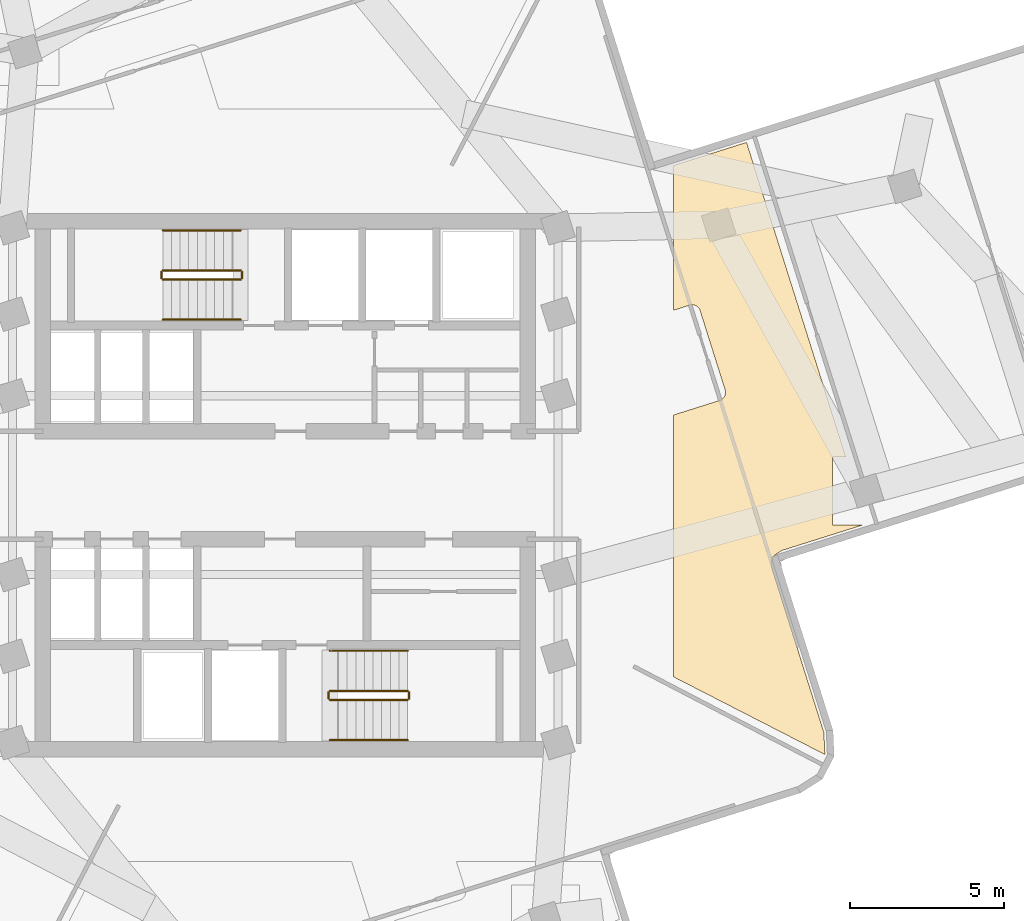
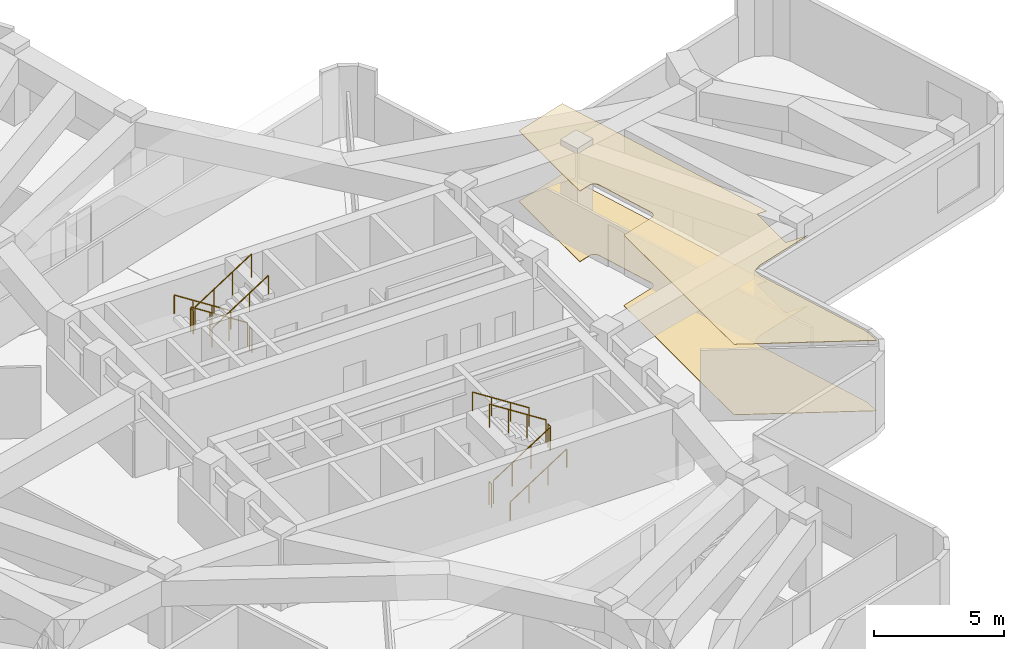
# One storey, part 7 of 8: 12 railings, 2 coverings.
"""IFC4 building model written with IfcOpenShell, lengths in metres."""

from ifc_helpers import new_model, si_unit, direction, frame, origin, origin_2d, place, context, subcontext, project, spatial, polyline, circle, outline, extrude, material, layer, layer_set, type_object, element, save


model = new_model("IFC4")

# Units and contexts
model_context = context("Model", 3, precision=1e-05, world=origin(), true_north=direction((0.0, 1.0)))
body_context = subcontext(model_context, "Body", "Model", "MODEL_VIEW")
ifc_project = project(units=[si_unit("LENGTHUNIT", "METRE"), si_unit("AREAUNIT", "SQUARE_METRE"), si_unit("VOLUMEUNIT", "CUBIC_METRE"), si_unit("PLANEANGLEUNIT", "RADIAN"), si_unit("MASSUNIT", "GRAM", prefix="KILO")], contexts=[model_context])

# Site, building, storey
site_placement = place(None, origin())
site = spatial("IfcSite", under=ifc_project, at=site_placement, CompositionType="ELEMENT")
building_placement = place(site_placement, origin())
building = spatial("IfcBuilding", under=site, at=building_placement, Name="Solmarez Civic Tower", CompositionType="ELEMENT")
storey_placement = place(building_placement, frame((0.0, 0.0, 152.280029296875)))
storey = spatial("IfcBuildingStorey", under=building, at=storey_placement, Name="L40", CompositionType="ELEMENT", Elevation=152.280029296875)

# Coverings
ifc_material_1 = material(Name="Perforated Mineral-Fibre Acoustic Ceiling")
ifc_layer_1 = layer(ifc_material_1, 0.02490234375)
ifc_layer_set_1 = layer_set([ifc_layer_1], Name="Perforated Mineral-Fibre Acoustic Ceiling")
covering_type_1 = type_object("IfcCoveringType", Name="COV-CEIL-ACOUSTIC", PredefinedType="CEILING", material=ifc_layer_set_1)
covering_1_placement = place(storey_placement, frame((0.0, 0.0, 3.31494140625)))
element("IfcCovering", 1, at=covering_1_placement, inside=storey, type_object=covering_type_1, Name="L40 Suspended Acoustic Ceiling 1", PredefinedType="CEILING", context=body_context, shape_type="SweptSolid", body=[
    extrude(outline(polyline([(12.60009765625, 10.3740234375), (12.60009765625, 5.676025390625), (13.12109375, 5.841064453125), (13.14404296875, 5.846923828125), (13.14892578125, 5.847900390625), (13.154052734375, 5.84912109375), (13.175048828125, 5.85205078125), (13.197021484375, 5.85302734375), (13.2060546875, 5.85302734375), (13.22802734375, 5.85205078125), (13.2490234375, 5.84912109375), (13.25390625, 5.847900390625), (13.259033203125, 5.846923828125), (13.279052734375, 5.842041015625), (13.298095703125, 5.8349609375), (13.302978515625, 5.8330078125), (13.319091796875, 5.825927734375), (13.326904296875, 5.822021484375), (13.344970703125, 5.81201171875), (13.364990234375, 5.798095703125), (13.388916015625, 5.778076171875), (13.39599609375, 5.77099609375), (13.4189453125, 5.742919921875), (13.429931640625, 5.72802734375), (13.43505859375, 5.719970703125), (13.444091796875, 5.702880859375), (13.451904296875, 5.68505859375), (13.4541015625, 5.679931640625), (13.4599609375, 5.6640625), (14.27197265625, 3.089111328125), (14.278076171875, 3.06591796875), (14.279052734375, 3.06103515625), (14.280029296875, 3.055908203125), (14.282958984375, 3.034912109375), (14.283935546875, 3.012939453125), (14.283935546875, 3.00390625), (14.282958984375, 2.98193359375), (14.280029296875, 2.9609375), (14.279052734375, 2.9560546875), (14.278076171875, 2.950927734375), (14.27197265625, 2.927001953125), (14.262939453125, 2.905029296875), (14.259033203125, 2.89599609375), (14.2451171875, 2.867919921875), (14.239990234375, 2.860107421875), (14.22607421875, 2.841064453125), (14.212890625, 2.824951171875), (14.197998046875, 2.81005859375), (14.181884765625, 2.797119140625), (14.174072265625, 2.791015625), (14.158935546875, 2.780029296875), (14.15087890625, 2.77490234375), (14.134033203125, 2.76611328125), (14.115966796875, 2.758056640625), (14.111083984375, 2.756103515625), (14.094970703125, 2.75), (12.60009765625, 2.278076171875), (12.60009765625, -6.218994140625), (17.50390625, -8.735107421875), (17.507080078125, -8.72998046875), (17.47509765625, -8.02197265625), (15.81103515625, -2.748046875), (15.80908203125, -2.741943359375), (15.806884765625, -2.735107421875), (15.802001953125, -2.7109375), (15.801025390625, -2.705078125), (15.800048828125, -2.699951171875), (15.799072265625, -2.693115234375), (15.797119140625, -2.672119140625), (15.7890625, -2.5), (15.7890625, -2.489990234375), (15.7890625, -2.48193359375), (15.791015625, -2.450927734375), (15.7919921875, -2.444091796875), (15.797119140625, -2.422119140625), (15.799072265625, -2.4140625), (15.800048828125, -2.406982421875), (15.802001953125, -2.39990234375), (15.81201171875, -2.373046875), (15.81494140625, -2.365966796875), (15.818115234375, -2.35888671875), (15.826904296875, -2.341064453125), (15.8369140625, -2.323974609375), (15.841064453125, -2.318115234375), (15.85498046875, -2.299072265625), (15.860107421875, -2.29296875), (15.864990234375, -2.287109375), (15.8779296875, -2.27197265625), (15.89306640625, -2.259033203125), (15.89892578125, -2.25390625), (15.91796875, -2.239990234375), (15.927001953125, -2.23388671875), (16.072021484375, -2.14111328125), (16.093017578125, -2.12890625), (16.09912109375, -2.1259765625), (16.110107421875, -2.12109375), (16.116943359375, -2.117919921875), (16.134033203125, -2.111083984375), (16.14404296875, -2.10791015625), (18.758056640625, -1.282958984375), (17.760009765625, -1.282958984375), (17.760009765625, 0.9169921875), (18.18798828125, 0.9169921875), (14.966064453125, 11.12109375), (12.60009765625, 10.3740234375)])), origin(), (0.0, 0.0, 1.0), 0.025146484375),
])
ifc_material_2 = material(Name="Polished Tropical Stone Terrazzo Flooring", Category="masonry")
ifc_layer_2 = layer(ifc_material_2, 0.02001953125)
ifc_layer_set_2 = layer_set([ifc_layer_2], Name="Polished Tropical Stone Terrazzo Flooring")
covering_type_2 = type_object("IfcCoveringType", Name="COV-FLOOR-TERRAZZO", PredefinedType="FLOORING", material=ifc_layer_set_2)
covering_2_placement = place(storey_placement, origin())
element("IfcCovering", 2, at=covering_2_placement, inside=storey, type_object=covering_type_2, Name="L40 Terrazzo Floor Finish 1", PredefinedType="FLOORING", context=body_context, shape_type="SweptSolid", body=[
    extrude(outline(polyline([(12.60009765625, 10.3740234375), (12.60009765625, 5.676025390625), (13.12109375, 5.841064453125), (13.14404296875, 5.846923828125), (13.14892578125, 5.847900390625), (13.154052734375, 5.84912109375), (13.175048828125, 5.85205078125), (13.197021484375, 5.85302734375), (13.2060546875, 5.85302734375), (13.22802734375, 5.85205078125), (13.2490234375, 5.84912109375), (13.25390625, 5.847900390625), (13.259033203125, 5.846923828125), (13.279052734375, 5.842041015625), (13.298095703125, 5.8349609375), (13.302978515625, 5.8330078125), (13.319091796875, 5.825927734375), (13.326904296875, 5.822021484375), (13.344970703125, 5.81201171875), (13.364990234375, 5.798095703125), (13.388916015625, 5.778076171875), (13.39599609375, 5.77099609375), (13.4189453125, 5.742919921875), (13.429931640625, 5.72802734375), (13.43505859375, 5.719970703125), (13.444091796875, 5.702880859375), (13.451904296875, 5.68505859375), (13.4541015625, 5.679931640625), (13.4599609375, 5.6640625), (14.27197265625, 3.089111328125), (14.278076171875, 3.06591796875), (14.279052734375, 3.06103515625), (14.280029296875, 3.055908203125), (14.282958984375, 3.034912109375), (14.283935546875, 3.012939453125), (14.283935546875, 3.00390625), (14.282958984375, 2.98193359375), (14.280029296875, 2.9609375), (14.279052734375, 2.9560546875), (14.278076171875, 2.950927734375), (14.27197265625, 2.927001953125), (14.262939453125, 2.905029296875), (14.259033203125, 2.89599609375), (14.2451171875, 2.867919921875), (14.239990234375, 2.860107421875), (14.22607421875, 2.841064453125), (14.212890625, 2.824951171875), (14.197998046875, 2.81005859375), (14.181884765625, 2.797119140625), (14.174072265625, 2.791015625), (14.158935546875, 2.780029296875), (14.15087890625, 2.77490234375), (14.134033203125, 2.76611328125), (14.115966796875, 2.758056640625), (14.111083984375, 2.756103515625), (14.094970703125, 2.75), (12.60009765625, 2.278076171875), (12.60009765625, -6.218994140625), (17.50390625, -8.735107421875), (17.507080078125, -8.72998046875), (17.47509765625, -8.02197265625), (15.81103515625, -2.748046875), (15.80908203125, -2.741943359375), (15.806884765625, -2.735107421875), (15.802001953125, -2.7109375), (15.801025390625, -2.705078125), (15.800048828125, -2.699951171875), (15.799072265625, -2.693115234375), (15.797119140625, -2.672119140625), (15.7890625, -2.5), (15.7890625, -2.489990234375), (15.7890625, -2.48193359375), (15.791015625, -2.450927734375), (15.7919921875, -2.444091796875), (15.797119140625, -2.422119140625), (15.799072265625, -2.4140625), (15.800048828125, -2.406982421875), (15.802001953125, -2.39990234375), (15.81201171875, -2.373046875), (15.81494140625, -2.365966796875), (15.818115234375, -2.35888671875), (15.826904296875, -2.341064453125), (15.8369140625, -2.323974609375), (15.841064453125, -2.318115234375), (15.85498046875, -2.299072265625), (15.860107421875, -2.29296875), (15.864990234375, -2.287109375), (15.8779296875, -2.27197265625), (15.89306640625, -2.259033203125), (15.89892578125, -2.25390625), (15.91796875, -2.239990234375), (15.927001953125, -2.23388671875), (16.072021484375, -2.14111328125), (16.093017578125, -2.12890625), (16.09912109375, -2.1259765625), (16.110107421875, -2.12109375), (16.116943359375, -2.117919921875), (16.134033203125, -2.111083984375), (16.14404296875, -2.10791015625), (18.758056640625, -1.282958984375), (17.760009765625, -1.282958984375), (17.760009765625, 0.9169921875), (18.18798828125, 0.9169921875), (14.966064453125, 11.12109375), (12.60009765625, 10.3740234375)])), origin(), (0.0, 0.0, 1.0), 0.02001953125),
])

# Railings
ifc_material_3 = material(Name="Painted Steel Stairwell Safety Guard", Category="steel")
railing_type_1 = type_object("IfcRailingType", Name="GUARD-STAIR-1120", PredefinedType="BALUSTRADE", material=ifc_material_3)
railing_1_placement = place(storey_placement, frame((-1.449951171875, 6.969970703125, 0.179931640625)))
element("IfcRailing", 3, at=railing_1_placement, inside=storey, type_object=railing_type_1, Name="L40 ST-1 stair guard 1", PredefinedType="BALUSTRADE", context=body_context, shape_type="SweptSolid", body=[
    extrude(circle(Radius=0.02392578125, at=origin_2d()), frame((0.0, 0.0, 1.09619140625), z_axis=(-0.841162588446, 0.0, 0.540782303519), x_axis=(0.0, -1.0, 0.0)), (0.0, 0.0, 1.0), 2.995849609375),
    extrude(circle(Radius=0.02099609375, at=origin_2d()), origin(), (0.0, 0.0, 1.0), 1.072021484375),
    extrude(circle(Radius=0.02099609375, at=origin_2d()), frame((-0.840087890625, 0.0, 0.5400390625)), (0.0, 0.0, 1.0), 1.072021484375),
    extrude(circle(Radius=0.02099609375, at=origin_2d()), frame((-1.679931640625, 0.0, 1.080078125)), (0.0, 0.0, 1.0), 1.072021484375),
    extrude(circle(Radius=0.02099609375, at=origin_2d()), frame((-2.52001953125, 0.0, 1.6201171875)), (0.0, 0.0, 1.0), 1.072021484375),
])
railing_2_placement = place(storey_placement, frame((-4.02001953125, 6.919921875, 1.800048828125)))
element("IfcRailing", 4, at=railing_2_placement, inside=storey, type_object=railing_type_1, Name="L40 ST-1 stair guard 2", PredefinedType="BALUSTRADE", context=body_context, shape_type="SweptSolid", body=[
    extrude(circle(Radius=0.02392578125, at=origin_2d()), frame((0.0, 0.0, 1.09619140625), z_axis=(0.0, -1.0, 0.0), x_axis=(1.0, 0.0, 0.0)), (0.0, 0.0, 1.0), 0.199951171875),
    extrude(circle(Radius=0.02099609375, at=origin_2d()), origin(), (0.0, 0.0, 1.0), 1.072021484375),
    extrude(circle(Radius=0.02099609375, at=origin_2d()), frame((0.0, -0.199951171875, 0.0)), (0.0, 0.0, 1.0), 1.072021484375),
])
railing_3_placement = place(storey_placement, frame((-3.969970703125, 6.669921875, 1.97998046875)))
element("IfcRailing", 5, at=railing_3_placement, inside=storey, type_object=railing_type_1, Name="L40 ST-1 stair guard 3", PredefinedType="BALUSTRADE", context=body_context, shape_type="SweptSolid", body=[
    extrude(circle(Radius=0.02392578125, at=origin_2d()), frame((0.0, 0.0, 1.09619140625), z_axis=(0.841199657755, 0.0, 0.540724639528), x_axis=(0.0, 1.0, 0.0)), (0.0, 0.0, 1.0), 2.995849609375),
    extrude(circle(Radius=0.02099609375, at=origin_2d()), origin(), (0.0, 0.0, 1.0), 1.072021484375),
    extrude(circle(Radius=0.02099609375, at=origin_2d()), frame((0.840087890625, 0.0, 0.5400390625)), (0.0, 0.0, 1.0), 1.072021484375),
    extrude(circle(Radius=0.02099609375, at=origin_2d()), frame((1.679931640625, 0.0, 1.079833984375)), (0.0, 0.0, 1.0), 1.072021484375),
    extrude(circle(Radius=0.02099609375, at=origin_2d()), frame((2.52001953125, 0.0, 1.619873046875)), (0.0, 0.0, 1.0), 1.072021484375),
])
railing_4_placement = place(storey_placement, frame((-1.39990234375, 6.919921875, 0.0)))
element("IfcRailing", 6, at=railing_4_placement, inside=storey, type_object=railing_type_1, Name="L40 ST-1 stair guard 4", PredefinedType="BALUSTRADE", context=body_context, shape_type="SweptSolid", body=[
    extrude(circle(Radius=0.02392578125, at=origin_2d()), frame((0.0, 0.0, 1.09619140625), z_axis=(0.0, -1.0, 0.0), x_axis=(1.0, 0.0, 0.0)), (0.0, 0.0, 1.0), 0.199951171875),
    extrude(circle(Radius=0.02099609375, at=origin_2d()), origin(), (0.0, 0.0, 1.0), 1.072021484375),
    extrude(circle(Radius=0.02099609375, at=origin_2d()), frame((0.0, -0.199951171875, 0.0)), (0.0, 0.0, 1.0), 1.072021484375),
])
railing_5_placement = place(storey_placement, frame((1.449951171875, -6.969970703125, 0.179931640625)))
element("IfcRailing", 7, at=railing_5_placement, inside=storey, type_object=railing_type_1, Name="L40 ST-2 stair guard 1", PredefinedType="BALUSTRADE", context=body_context, shape_type="SweptSolid", body=[
    extrude(circle(Radius=0.02392578125, at=origin_2d()), frame((0.0, 0.0, 1.09619140625), z_axis=(0.841162588446, 0.0, 0.540782303519), x_axis=(0.0, 1.0, 0.0)), (0.0, 0.0, 1.0), 2.995849609375),
    extrude(circle(Radius=0.02099609375, at=origin_2d()), origin(), (0.0, 0.0, 1.0), 1.072021484375),
    extrude(circle(Radius=0.02099609375, at=origin_2d()), frame((0.840087890625, 0.0, 0.5400390625)), (0.0, 0.0, 1.0), 1.072021484375),
    extrude(circle(Radius=0.02099609375, at=origin_2d()), frame((1.679931640625, 0.0, 1.080078125)), (0.0, 0.0, 1.0), 1.072021484375),
    extrude(circle(Radius=0.02099609375, at=origin_2d()), frame((2.52001953125, 0.0, 1.6201171875)), (0.0, 0.0, 1.0), 1.072021484375),
])
railing_6_placement = place(storey_placement, frame((4.02001953125, -6.919921875, 1.800048828125)))
element("IfcRailing", 8, at=railing_6_placement, inside=storey, type_object=railing_type_1, Name="L40 ST-2 stair guard 2", PredefinedType="BALUSTRADE", context=body_context, shape_type="SweptSolid", body=[
    extrude(circle(Radius=0.02392578125, at=origin_2d()), frame((0.0, 0.0, 1.09619140625), z_axis=(0.0, 1.0, 0.0), x_axis=(-1.0, 0.0, 0.0)), (0.0, 0.0, 1.0), 0.199951171875),
    extrude(circle(Radius=0.02099609375, at=origin_2d()), origin(), (0.0, 0.0, 1.0), 1.072021484375),
    extrude(circle(Radius=0.02099609375, at=origin_2d()), frame((0.0, 0.199951171875, 0.0)), (0.0, 0.0, 1.0), 1.072021484375),
])
railing_7_placement = place(storey_placement, frame((3.969970703125, -6.669921875, 1.97998046875)))
element("IfcRailing", 9, at=railing_7_placement, inside=storey, type_object=railing_type_1, Name="L40 ST-2 stair guard 3", PredefinedType="BALUSTRADE", context=body_context, shape_type="SweptSolid", body=[
    extrude(circle(Radius=0.02392578125, at=origin_2d()), frame((0.0, 0.0, 1.09619140625), z_axis=(-0.841199657755, 0.0, 0.540724639528), x_axis=(0.0, -1.0, 0.0)), (0.0, 0.0, 1.0), 2.995849609375),
    extrude(circle(Radius=0.02099609375, at=origin_2d()), origin(), (0.0, 0.0, 1.0), 1.072021484375),
    extrude(circle(Radius=0.02099609375, at=origin_2d()), frame((-0.840087890625, 0.0, 0.5400390625)), (0.0, 0.0, 1.0), 1.072021484375),
    extrude(circle(Radius=0.02099609375, at=origin_2d()), frame((-1.679931640625, 0.0, 1.079833984375)), (0.0, 0.0, 1.0), 1.072021484375),
    extrude(circle(Radius=0.02099609375, at=origin_2d()), frame((-2.52001953125, 0.0, 1.619873046875)), (0.0, 0.0, 1.0), 1.072021484375),
])
railing_8_placement = place(storey_placement, frame((1.39990234375, -6.919921875, 0.0)))
element("IfcRailing", 10, at=railing_8_placement, inside=storey, type_object=railing_type_1, Name="L40 ST-2 stair guard 4", PredefinedType="BALUSTRADE", context=body_context, shape_type="SweptSolid", body=[
    extrude(circle(Radius=0.02392578125, at=origin_2d()), frame((0.0, 0.0, 1.09619140625), z_axis=(0.0, 1.0, 0.0), x_axis=(-1.0, 0.0, 0.0)), (0.0, 0.0, 1.0), 0.199951171875),
    extrude(circle(Radius=0.02099609375, at=origin_2d()), origin(), (0.0, 0.0, 1.0), 1.072021484375),
    extrude(circle(Radius=0.02099609375, at=origin_2d()), frame((0.0, 0.199951171875, 0.0)), (0.0, 0.0, 1.0), 1.072021484375),
])
ifc_material_4 = material(Name="Brushed Stainless Steel Tube Handrail", Category="steel")
railing_type_2 = type_object("IfcRailingType", Name="HANDRAIL-STAIR-900", PredefinedType="HANDRAIL", material=ifc_material_4)
railing_9_placement = place(storey_placement, frame((-1.449951171875, 8.27001953125, 0.179931640625)))
element("IfcRailing", 11, at=railing_9_placement, inside=storey, type_object=railing_type_2, Name="L40 ST-1 stair handrail 1", PredefinedType="HANDRAIL", context=body_context, shape_type="SweptSolid", body=[
    extrude(circle(Radius=0.02392578125, at=origin_2d()), frame((0.0, 0.0, 0.8759765625), z_axis=(-0.841162588446, 0.0, 0.540782303519), x_axis=(0.0, -1.0, 0.0)), (0.0, 0.0, 1.0), 2.995849609375),
    extrude(circle(Radius=0.02099609375, at=origin_2d()), origin(), (0.0, 0.0, 1.0), 0.851806640625),
    extrude(circle(Radius=0.02099609375, at=origin_2d()), frame((-0.840087890625, 0.0, 0.5400390625)), (0.0, 0.0, 1.0), 0.851806640625),
    extrude(circle(Radius=0.02099609375, at=origin_2d()), frame((-1.679931640625, 0.0, 1.080078125)), (0.0, 0.0, 1.0), 0.851806640625),
    extrude(circle(Radius=0.02099609375, at=origin_2d()), frame((-2.52001953125, 0.0, 1.6201171875)), (0.0, 0.0, 1.0), 0.851806640625),
])
railing_10_placement = place(storey_placement, frame((-3.969970703125, 5.3701171875, 1.97998046875)))
element("IfcRailing", 12, at=railing_10_placement, inside=storey, type_object=railing_type_2, Name="L40 ST-1 stair handrail 2", PredefinedType="HANDRAIL", context=body_context, shape_type="SweptSolid", body=[
    extrude(circle(Radius=0.02392578125, at=origin_2d()), frame((0.0, 0.0, 0.8759765625), z_axis=(0.841199657755, 0.0, 0.540724639528), x_axis=(0.0, 1.0, 0.0)), (0.0, 0.0, 1.0), 2.995849609375),
    extrude(circle(Radius=0.02099609375, at=origin_2d()), origin(), (0.0, 0.0, 1.0), 0.851806640625),
    extrude(circle(Radius=0.02099609375, at=origin_2d()), frame((0.840087890625, 0.0, 0.5400390625)), (0.0, 0.0, 1.0), 0.851806640625),
    extrude(circle(Radius=0.02099609375, at=origin_2d()), frame((1.679931640625, 0.0, 1.079833984375)), (0.0, 0.0, 1.0), 0.851806640625),
    extrude(circle(Radius=0.02099609375, at=origin_2d()), frame((2.52001953125, 0.0, 1.619873046875)), (0.0, 0.0, 1.0), 0.851806640625),
])
railing_11_placement = place(storey_placement, frame((1.449951171875, -8.27001953125, 0.179931640625)))
element("IfcRailing", 13, at=railing_11_placement, inside=storey, type_object=railing_type_2, Name="L40 ST-2 stair handrail 1", PredefinedType="HANDRAIL", context=body_context, shape_type="SweptSolid", body=[
    extrude(circle(Radius=0.02392578125, at=origin_2d()), frame((0.0, 0.0, 0.8759765625), z_axis=(0.841162588446, 0.0, 0.540782303519), x_axis=(0.0, 1.0, 0.0)), (0.0, 0.0, 1.0), 2.995849609375),
    extrude(circle(Radius=0.02099609375, at=origin_2d()), origin(), (0.0, 0.0, 1.0), 0.851806640625),
    extrude(circle(Radius=0.02099609375, at=origin_2d()), frame((0.840087890625, 0.0, 0.5400390625)), (0.0, 0.0, 1.0), 0.851806640625),
    extrude(circle(Radius=0.02099609375, at=origin_2d()), frame((1.679931640625, 0.0, 1.080078125)), (0.0, 0.0, 1.0), 0.851806640625),
    extrude(circle(Radius=0.02099609375, at=origin_2d()), frame((2.52001953125, 0.0, 1.6201171875)), (0.0, 0.0, 1.0), 0.851806640625),
])
railing_12_placement = place(storey_placement, frame((3.969970703125, -5.3701171875, 1.97998046875)))
element("IfcRailing", 14, at=railing_12_placement, inside=storey, type_object=railing_type_2, Name="L40 ST-2 stair handrail 2", PredefinedType="HANDRAIL", context=body_context, shape_type="SweptSolid", body=[
    extrude(circle(Radius=0.02392578125, at=origin_2d()), frame((0.0, 0.0, 0.8759765625), z_axis=(-0.841199657755, 0.0, 0.540724639528), x_axis=(0.0, -1.0, 0.0)), (0.0, 0.0, 1.0), 2.995849609375),
    extrude(circle(Radius=0.02099609375, at=origin_2d()), origin(), (0.0, 0.0, 1.0), 0.851806640625),
    extrude(circle(Radius=0.02099609375, at=origin_2d()), frame((-0.840087890625, 0.0, 0.5400390625)), (0.0, 0.0, 1.0), 0.851806640625),
    extrude(circle(Radius=0.02099609375, at=origin_2d()), frame((-1.679931640625, 0.0, 1.079833984375)), (0.0, 0.0, 1.0), 0.851806640625),
    extrude(circle(Radius=0.02099609375, at=origin_2d()), frame((-2.52001953125, 0.0, 1.619873046875)), (0.0, 0.0, 1.0), 0.851806640625),
])

save(model, "model.ifc")
